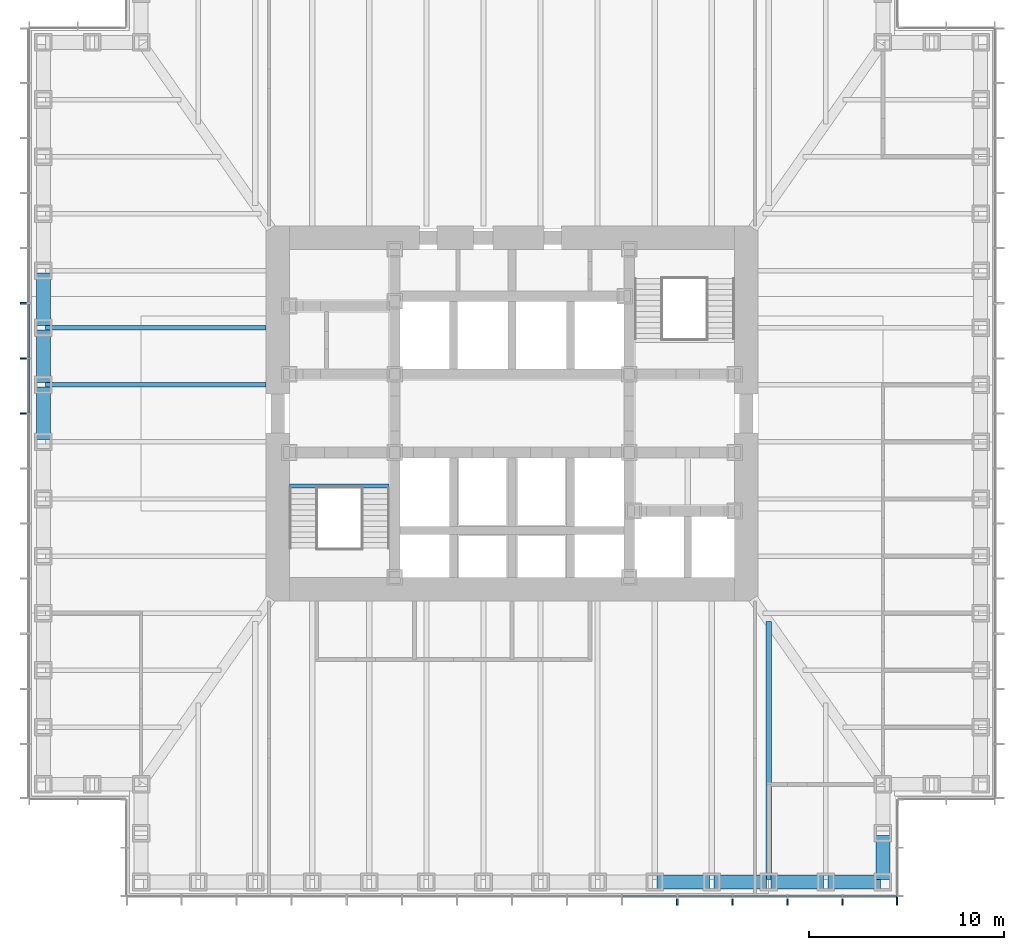
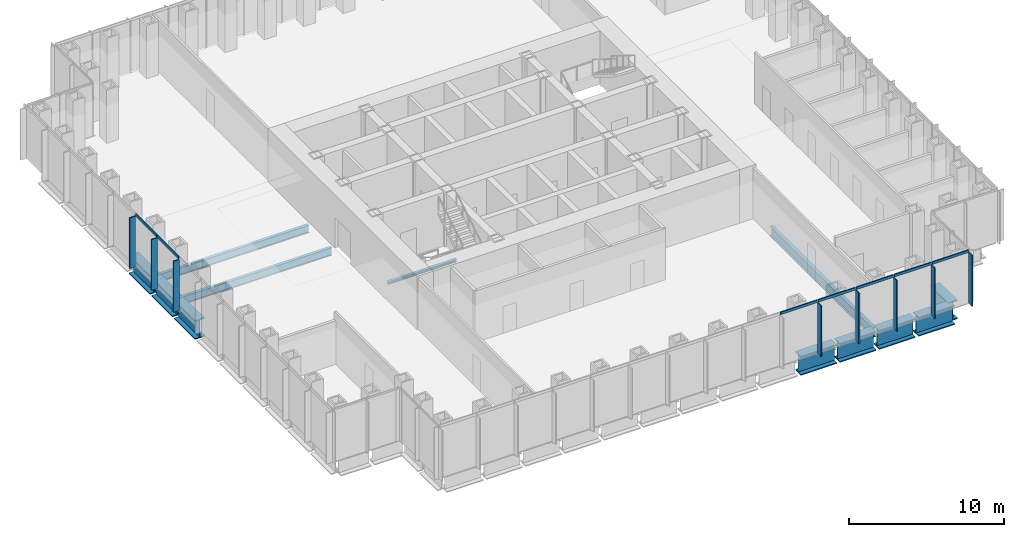
# One storey, part 3 of 16: 15 members, 12 beams, 2 elements without a shape of their own.
"""IFC4 building model written with IfcOpenShell, lengths in metres."""

from ifc_helpers import new_model, si_unit, direction, frame, origin, origin_2d, place, context, subcontext, project, spatial, rectangle, i_section, extrude, material, material_profile, profile_set, type_object, element, aggregate, save


model = new_model("IFC4")

# Units and contexts
model_context = context("Model", 3, precision=1e-05, world=origin(), true_north=direction((0.0, 1.0)))
body_context = subcontext(model_context, "Body", "Model", "MODEL_VIEW")
ifc_project = project(units=[si_unit("LENGTHUNIT", "METRE"), si_unit("AREAUNIT", "SQUARE_METRE"), si_unit("VOLUMEUNIT", "CUBIC_METRE"), si_unit("PLANEANGLEUNIT", "RADIAN"), si_unit("MASSUNIT", "GRAM", prefix="KILO")], contexts=[model_context])

# Site, building, storey
site_placement = place(None, origin())
site = spatial("IfcSite", under=ifc_project, at=site_placement, CompositionType="ELEMENT")
building_placement = place(site_placement, origin())
building = spatial("IfcBuilding", under=site, at=building_placement, Name="Daluyong Arena Tower", CompositionType="ELEMENT")
storey_placement = place(building_placement, frame((0.0, 0.0, 76.89990234375)))
storey = spatial("IfcBuildingStorey", under=building, at=storey_placement, Name="L16", CompositionType="ELEMENT", Elevation=76.89990234375)

# Curtain wall, members
ifc_material_1 = material(Name="Bronze anodised aluminium and glass", Category="aluminium")
curtain_wall_type = type_object("IfcCurtainWallType", Name="Curtain wall CW1", PredefinedType="USERDEFINED", material=ifc_material_1)
curtain_wall_1_placement = place(storey_placement, origin())
curtain_wall_1 = element("IfcCurtainWall", 1, at=curtain_wall_1_placement, inside=storey, type_object=curtain_wall_type, Name="curtain wall L16 S", ObjectType="UNITISED CURTAIN WALL", PredefinedType="USERDEFINED")
ifc_material_2 = material(Name="Bronze anodised aluminium fin", Category="aluminium")
ifc_material_profile_1 = material_profile(ifc_material_2, rectangle(XDim=0.449951171875, YDim=0.080078125, at=origin_2d()))
ifc_profile_set_1 = profile_set([ifc_material_profile_1], Name="Bronze anodised aluminium fin")
member_type_1 = type_object("IfcMemberType", Name="CW1 bronze fin 450x80", PredefinedType="MULLION", material=ifc_profile_set_1)
member_1_placement = place(storey_placement, frame((64.46435546875, 55.02490234375, 0.0), z_axis=(0.0, 0.0, 1.0), x_axis=(0.0, 1.0, 0.0)))
member_1 = element("IfcMember", 2, at=member_1_placement, type_object=member_type_1, Name="curtain wall L16 S fin 11", PredefinedType="MULLION", context=body_context, shape_type="SweptSolid", body=[
    extrude(rectangle(XDim=0.449951171875, YDim=0.080078125, at=origin_2d()), origin(), (0.0, 0.0, 1.0), 4.0),
])
member_2_placement = place(storey_placement, frame((67.28564453125, 55.02490234375, 0.0), z_axis=(0.0, 0.0, 1.0), x_axis=(0.0, 1.0, 0.0)))
member_2 = element("IfcMember", 3, at=member_2_placement, type_object=member_type_1, Name="curtain wall L16 S fin 12", PredefinedType="MULLION", context=body_context, shape_type="SweptSolid", body=[
    extrude(rectangle(XDim=0.449951171875, YDim=0.080078125, at=origin_2d()), origin(), (0.0, 0.0, 1.0), 4.0),
])
member_3_placement = place(storey_placement, frame((70.107177734375, 55.02490234375, 0.0), z_axis=(0.0, 0.0, 1.0), x_axis=(0.0, 1.0, 0.0)))
member_3 = element("IfcMember", 4, at=member_3_placement, type_object=member_type_1, Name="curtain wall L16 S fin 13", PredefinedType="MULLION", context=body_context, shape_type="SweptSolid", body=[
    extrude(rectangle(XDim=0.449951171875, YDim=0.080078125, at=origin_2d()), origin(), (0.0, 0.0, 1.0), 4.0),
])
member_4_placement = place(storey_placement, frame((72.928466796875, 55.02490234375, 0.0), z_axis=(0.0, 0.0, 1.0), x_axis=(0.0, 1.0, 0.0)))
member_4 = element("IfcMember", 5, at=member_4_placement, type_object=member_type_1, Name="curtain wall L16 S fin 14", PredefinedType="MULLION", context=body_context, shape_type="SweptSolid", body=[
    extrude(rectangle(XDim=0.449951171875, YDim=0.080078125, at=origin_2d()), origin(), (0.0, 0.0, 1.0), 4.0),
])
member_5_placement = place(storey_placement, frame((75.7099609375, 55.02490234375, 0.0), z_axis=(0.0, 0.0, 1.0), x_axis=(0.0, 1.0, 0.0)))
member_5 = element("IfcMember", 6, at=member_5_placement, type_object=member_type_1, Name="curtain wall L16 S fin 15", PredefinedType="MULLION", context=body_context, shape_type="SweptSolid", body=[
    extrude(rectangle(XDim=0.449951171875, YDim=0.080078125, at=origin_2d()), origin(), (0.0, 0.0, 1.0), 4.0),
])

curtain_wall_2_placement = place(storey_placement, origin())
curtain_wall_2 = element("IfcCurtainWall", 7, at=curtain_wall_2_placement, inside=storey, type_object=curtain_wall_type, Name="curtain wall L16 W", ObjectType="UNITISED CURTAIN WALL", PredefinedType="USERDEFINED")
member_6_placement = place(storey_placement, frame((31.02490234375, 85.642822265625, 0.0), z_axis=(0.0, 0.0, 1.0), x_axis=(1.0, 0.0, 0.0)))
member_6 = element("IfcMember", 8, at=member_6_placement, type_object=member_type_1, Name="curtain wall L16 W fin 6", PredefinedType="MULLION", context=body_context, shape_type="SweptSolid", body=[
    extrude(rectangle(XDim=0.449951171875, YDim=0.080078125, at=origin_2d()), origin(), (0.0, 0.0, 1.0), 4.0),
])
member_7_placement = place(storey_placement, frame((31.02490234375, 82.821533203125, 0.0), z_axis=(0.0, 0.0, 1.0), x_axis=(1.0, 0.0, 0.0)))
member_7 = element("IfcMember", 9, at=member_7_placement, type_object=member_type_1, Name="curtain wall L16 W fin 7", PredefinedType="MULLION", context=body_context, shape_type="SweptSolid", body=[
    extrude(rectangle(XDim=0.449951171875, YDim=0.080078125, at=origin_2d()), origin(), (0.0, 0.0, 1.0), 4.0),
])
member_8_placement = place(storey_placement, frame((31.02490234375, 80.0, 0.0), z_axis=(0.0, 0.0, 1.0), x_axis=(1.0, 0.0, 0.0)))
member_8 = element("IfcMember", 10, at=member_8_placement, type_object=member_type_1, Name="curtain wall L16 W fin 8", PredefinedType="MULLION", context=body_context, shape_type="SweptSolid", body=[
    extrude(rectangle(XDim=0.449951171875, YDim=0.080078125, at=origin_2d()), origin(), (0.0, 0.0, 1.0), 4.0),
])

# Member
ifc_material_3 = material(Name="Bronze anodised aluminium", Category="aluminium")
ifc_material_profile_2 = material_profile(ifc_material_3, rectangle(XDim=0.080078125, YDim=0.199951171875, at=origin_2d()))
ifc_profile_set_2 = profile_set([ifc_material_profile_2], Name="Bronze anodised aluminium")
member_type_2 = type_object("IfcMemberType", Name="CW1 stack transom 200x80", PredefinedType="USERDEFINED", material=ifc_profile_set_2)
member_9_placement = place(storey_placement, frame((61.682861328125, 55.25, 4.10009765625), z_axis=(1.0, 0.0, 0.0), x_axis=(0.0, 1.0, 0.0)))
member_9 = element("IfcMember", 11, at=member_9_placement, type_object=member_type_2, Name="curtain wall L16 S transom 10", ObjectType="TRANSOM", PredefinedType="USERDEFINED", context=body_context, shape_type="SweptSolid", body=[
    extrude(rectangle(XDim=0.080078125, YDim=0.199951171875, at=origin_2d()), origin(), (0.0, 0.0, 1.0), 2.741455078125),
])

member_10_placement = place(storey_placement, frame((64.50439453125, 55.25, 4.10009765625), z_axis=(1.0, 0.0, 0.0), x_axis=(0.0, 1.0, 0.0)))
member_10 = element("IfcMember", 12, at=member_10_placement, type_object=member_type_2, Name="curtain wall L16 S transom 11", ObjectType="TRANSOM", PredefinedType="USERDEFINED", context=body_context, shape_type="SweptSolid", body=[
    extrude(rectangle(XDim=0.080078125, YDim=0.199951171875, at=origin_2d()), origin(), (0.0, 0.0, 1.0), 2.7412109375),
])

member_11_placement = place(storey_placement, frame((67.32568359375, 55.25, 4.10009765625), z_axis=(1.0, 0.0, 0.0), x_axis=(0.0, 1.0, 0.0)))
member_11 = element("IfcMember", 13, at=member_11_placement, type_object=member_type_2, Name="curtain wall L16 S transom 12", ObjectType="TRANSOM", PredefinedType="USERDEFINED", context=body_context, shape_type="SweptSolid", body=[
    extrude(rectangle(XDim=0.080078125, YDim=0.199951171875, at=origin_2d()), origin(), (0.0, 0.0, 1.0), 2.741455078125),
])

member_12_placement = place(storey_placement, frame((70.147216796875, 55.25, 4.10009765625), z_axis=(1.0, 0.0, 0.0), x_axis=(0.0, 1.0, 0.0)))
member_12 = element("IfcMember", 14, at=member_12_placement, type_object=member_type_2, Name="curtain wall L16 S transom 13", ObjectType="TRANSOM", PredefinedType="USERDEFINED", context=body_context, shape_type="SweptSolid", body=[
    extrude(rectangle(XDim=0.080078125, YDim=0.199951171875, at=origin_2d()), origin(), (0.0, 0.0, 1.0), 2.741455078125),
])

member_13_placement = place(storey_placement, frame((72.968505859375, 55.25, 4.10009765625), z_axis=(1.0, 0.0, 0.0), x_axis=(0.0, 1.0, 0.0)))
member_13 = element("IfcMember", 15, at=member_13_placement, type_object=member_type_2, Name="curtain wall L16 S transom 14", ObjectType="TRANSOM", PredefinedType="USERDEFINED", context=body_context, shape_type="SweptSolid", body=[
    extrude(rectangle(XDim=0.080078125, YDim=0.199951171875, at=origin_2d()), origin(), (0.0, 0.0, 1.0), 2.701416015625),
])

aggregate(curtain_wall_1, [member_1, member_2, member_3, member_4, member_5, member_9, member_10, member_11, member_12, member_13])

member_14_placement = place(storey_placement, frame((31.25, 85.602783203125, 4.10009765625), z_axis=(0.0, -1.0, 0.0), x_axis=(1.0, 0.0, 0.0)))
member_14 = element("IfcMember", 16, at=member_14_placement, type_object=member_type_2, Name="curtain wall L16 W transom 6", ObjectType="TRANSOM", PredefinedType="USERDEFINED", context=body_context, shape_type="SweptSolid", body=[
    extrude(rectangle(XDim=0.080078125, YDim=0.199951171875, at=origin_2d()), origin(), (0.0, 0.0, 1.0), 2.741455078125),
])

member_15_placement = place(storey_placement, frame((31.25, 82.781494140625, 4.10009765625), z_axis=(0.0, -1.0, 0.0), x_axis=(1.0, 0.0, 0.0)))
member_15 = element("IfcMember", 17, at=member_15_placement, type_object=member_type_2, Name="curtain wall L16 W transom 7", ObjectType="TRANSOM", PredefinedType="USERDEFINED", context=body_context, shape_type="SweptSolid", body=[
    extrude(rectangle(XDim=0.080078125, YDim=0.199951171875, at=origin_2d()), origin(), (0.0, 0.0, 1.0), 2.741455078125),
])

aggregate(curtain_wall_2, [member_6, member_7, member_8, member_14, member_15])

# Beams
ifc_material_4 = material(Name="Steel ASTM A992 Grade 50", Category="steel")
ifc_material_profile_3 = material_profile(ifc_material_4, i_section(OverallWidth=0.22900390625, OverallDepth=0.612060546875, WebThickness=0.011962890625, FlangeThickness=0.01953125, at=origin_2d()))
ifc_profile_set_3 = profile_set([ifc_material_profile_3], Name="Steel ASTM A992 Grade 50")
beam_type_1 = type_object("IfcBeamType", Name="Floor beam W24X84", PredefinedType="BEAM", material=ifc_profile_set_3)
for number, where, z_axis, x_axis, name in (
    (18, (32.114990234375, 84.384521484375, -0.466064453125), (1.0, 0.0, 0.0), (0.0, 1.0, 0.0), "floor beam FB3"),
    (19, (32.114990234375, 81.46142578125, -0.466064453125), (1.0, 0.0, 0.0), (0.0, 1.0, 0.0), "floor beam FB3"),
):
    element("IfcBeam", number, at=place(storey_placement, frame(where, z_axis=z_axis, x_axis=x_axis)), inside=storey, type_object=beam_type_1, Name=name, PredefinedType="BEAM", context=body_context, shape_type="SweptSolid", body=[
        extrude(i_section(OverallWidth=0.22900390625, OverallDepth=0.612060546875, WebThickness=0.011962890625, FlangeThickness=0.01953125, at=origin_2d()), origin(), (0.0, 0.0, 1.0), 11.284912109375),
    ])
ifc_material_5 = material(Name="Steel ASTM A992 Grade 50", Category="steel")
ifc_material_profile_4 = material_profile(ifc_material_5, i_section(OverallWidth=0.2666015625, OverallDepth=0.761962890625, WebThickness=0.014404296875, FlangeThickness=0.021484375, at=origin_2d()))
ifc_profile_set_4 = profile_set([ifc_material_profile_4], Name="Steel ASTM A992 Grade 50")
beam_type_2 = type_object("IfcBeamType", Name="Floor beam W30X116", PredefinedType="BEAM", material=ifc_profile_set_4)
beam_1_placement = place(storey_placement, frame((69.15380859375, 56.114990234375, -0.541015625), z_axis=(0.0, 1.0, 0.0), x_axis=(-1.0, 0.0, 0.0)))
element("IfcBeam", 20, at=beam_1_placement, inside=storey, type_object=beam_type_2, Name="floor beam FB4", PredefinedType="BEAM", context=body_context, shape_type="SweptSolid", body=[
    extrude(i_section(OverallWidth=0.2666015625, OverallDepth=0.761962890625, WebThickness=0.014404296875, FlangeThickness=0.021484375, at=origin_2d()), origin(), (0.0, 0.0, 1.0), 13.236572265625),
])
ifc_material_6 = material(Name="Steel ASTM A572 Grade 50", Category="steel")
ifc_material_profile_5 = material_profile(ifc_material_6, i_section(OverallWidth=0.699951171875, OverallDepth=1.5, WebThickness=0.04, FlangeThickness=0.08, at=origin_2d()))
ifc_profile_set_5 = profile_set([ifc_material_profile_5], Name="Steel ASTM A572 Grade 50")
beam_type_3 = type_object("IfcBeamType", Name="Spandrel Z1 PG1500X700", PredefinedType="SPANDREL", material=ifc_profile_set_5)
for number, where, z_axis, x_axis, name in (
    (21, (63.422607421875, 56.0, -0.909912109375), (1.0, 0.0, 0.0), (0.0, 1.0, 0.0), "spandrel z1 SB4"),
    (22, (66.345703125, 56.0, -0.909912109375), (1.0, 0.0, 0.0), (0.0, 1.0, 0.0), "spandrel z1 SB4"),
    (23, (69.268798828125, 56.0, -0.909912109375), (1.0, 0.0, 0.0), (0.0, 1.0, 0.0), "spandrel z1 SB4"),
    (24, (72.19189453125, 56.0, -0.909912109375), (1.0, 0.0, 0.0), (0.0, 1.0, 0.0), "spandrel z1 SB4"),
):
    element("IfcBeam", number, at=place(storey_placement, frame(where, z_axis=z_axis, x_axis=x_axis)), inside=storey, type_object=beam_type_3, Name=name, PredefinedType="SPANDREL", context=body_context, shape_type="SweptSolid", body=[
        extrude(i_section(OverallWidth=0.699951171875, OverallDepth=1.5, WebThickness=0.04, FlangeThickness=0.08, at=origin_2d()), origin(), (0.0, 0.0, 1.0), 2.693115234375),
    ])
beam_2_placement = place(storey_placement, frame((75.0, 56.114990234375, -0.909912109375), z_axis=(0.0, 1.0, 0.0), x_axis=(-1.0, 0.0, 0.0)))
element("IfcBeam", 25, at=beam_2_placement, inside=storey, type_object=beam_type_3, Name="spandrel z1 SB4", PredefinedType="SPANDREL", context=body_context, shape_type="SweptSolid", body=[
    extrude(i_section(OverallWidth=0.699951171875, OverallDepth=1.5, WebThickness=0.04, FlangeThickness=0.08, at=origin_2d()), origin(), (0.0, 0.0, 1.0), 2.27001953125),
])
for number, where, z_axis, x_axis, name in (
    (26, (32.0, 87.192626953125, -0.909912109375), (0.0, -1.0, 0.0), (1.0, 0.0, 0.0), "spandrel z1 SB4"),
    (27, (32.0, 84.26953125, -0.909912109375), (0.0, -1.0, 0.0), (1.0, 0.0, 0.0), "spandrel z1 SB4"),
):
    element("IfcBeam", number, at=place(storey_placement, frame(where, z_axis=z_axis, x_axis=x_axis)), inside=storey, type_object=beam_type_3, Name=name, PredefinedType="SPANDREL", context=body_context, shape_type="SweptSolid", body=[
        extrude(i_section(OverallWidth=0.699951171875, OverallDepth=1.5, WebThickness=0.04, FlangeThickness=0.08, at=origin_2d()), origin(), (0.0, 0.0, 1.0), 2.693115234375),
    ])
beam_3_placement = place(storey_placement, frame((32.0, 81.346435546875, -0.909912109375), z_axis=(0.0, -1.0, 0.0), x_axis=(1.0, 0.0, 0.0)))
element("IfcBeam", 28, at=beam_3_placement, inside=storey, type_object=beam_type_3, Name="spandrel z1 SB4", PredefinedType="SPANDREL", context=body_context, shape_type="SweptSolid", body=[
    extrude(i_section(OverallWidth=0.699951171875, OverallDepth=1.5, WebThickness=0.04, FlangeThickness=0.08, at=origin_2d()), origin(), (0.0, 0.0, 1.0), 2.69287109375),
])
ifc_material_7 = material(Name="Steel ASTM A992 Grade 50", Category="steel")
ifc_material_profile_6 = material_profile(ifc_material_7, i_section(OverallWidth=0.203125, OverallDepth=0.203125, WebThickness=0.00732421875, FlangeThickness=0.010986328125, at=origin_2d()))
ifc_profile_set_6 = profile_set([ifc_material_profile_6], Name="Steel ASTM A992 Grade 50")
beam_type_4 = type_object("IfcBeamType", Name="Stair landing beam W8X31", PredefinedType="BEAM", material=ifc_profile_set_6)
beam_4_placement = place(storey_placement, frame((44.60009765625, 76.276611328125, -0.261474609375), z_axis=(1.0, 0.0, 0.0), x_axis=(0.0, 1.0, 0.0)))
element("IfcBeam", 29, at=beam_4_placement, inside=storey, type_object=beam_type_4, Name="exit stair A landing beam", PredefinedType="BEAM", context=body_context, shape_type="SweptSolid", body=[
    extrude(i_section(OverallWidth=0.203125, OverallDepth=0.203125, WebThickness=0.00732421875, FlangeThickness=0.010986328125, at=origin_2d()), origin(), (0.0, 0.0, 1.0), 5.099853515625),
])

save(model, "model.ifc")
